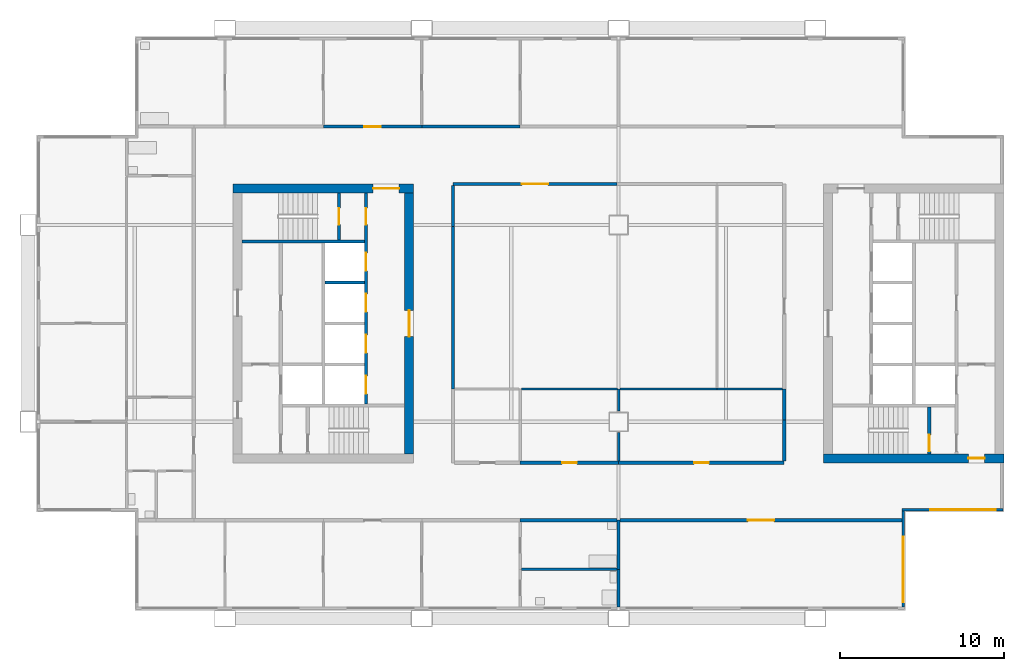
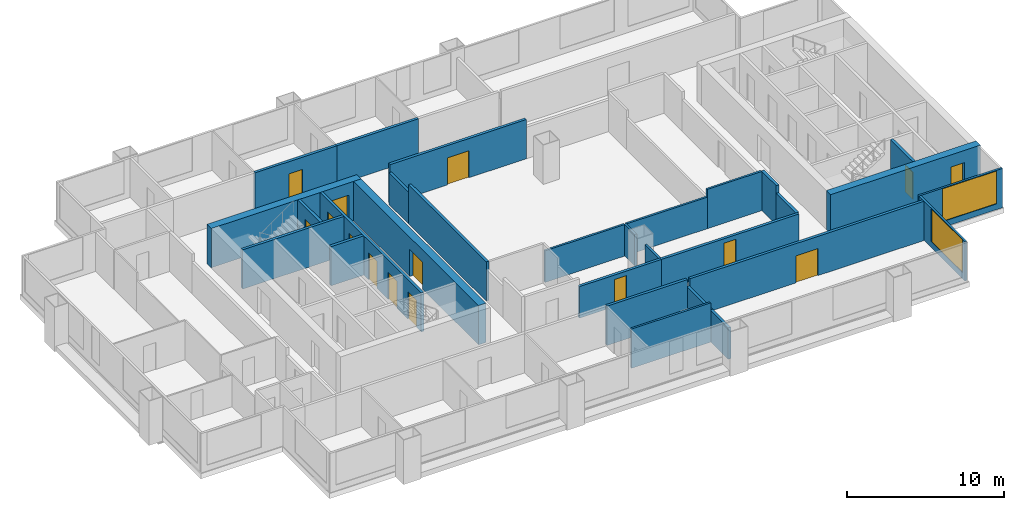
# One storey, part 4 of 8: 29 walls, 15 doors, 2 windows, 17 openings.
"""IFC4 building model written with IfcOpenShell, lengths in metres."""

from ifc_helpers import new_model, si_unit, direction, frame, frame_2d, origin, place, context, subcontext, project, spatial, rectangle, extrude, material, layer, layer_set, type_object, element, fill, save


model = new_model("IFC4")

# Units and contexts
model_context = context("Model", 3, precision=1e-05, world=origin(), true_north=direction((0.0, 1.0)))
body_context = subcontext(model_context, "Body", "Model", "MODEL_VIEW")
ifc_project = project(units=[si_unit("LENGTHUNIT", "METRE"), si_unit("AREAUNIT", "SQUARE_METRE"), si_unit("VOLUMEUNIT", "CUBIC_METRE"), si_unit("PLANEANGLEUNIT", "RADIAN"), si_unit("MASSUNIT", "GRAM", prefix="KILO")], contexts=[model_context])

# Site, building, storey
site_placement = place(None, origin())
site = spatial("IfcSite", under=ifc_project, at=site_placement, CompositionType="ELEMENT")
building_placement = place(site_placement, origin())
building = spatial("IfcBuilding", under=site, at=building_placement, Name="Kitamizu Gate Tower and Museum", CompositionType="ELEMENT")
storey_placement = place(building_placement, frame((0.0, 0.0, 165.14990234375)))
storey = spatial("IfcBuildingStorey", under=building, at=storey_placement, Name="L43", CompositionType="ELEMENT", Elevation=165.14990234375)

# Wall, opening, door
ifc_material_1 = material(Name="Concrete Fc42", Category="concrete")
ifc_layer_1 = layer(ifc_material_1, 0.550048828125)
ifc_layer_set_1 = layer_set([ifc_layer_1], Name="Concrete Fc42")
wall_type_1 = type_object("IfcWallType", Name="Core wall 550", PredefinedType="SHEAR", material=ifc_layer_set_1)
wall_1_placement = place(storey_placement, frame((12.5, 38.22509765625, 0.0), z_axis=(0.0, 0.0, 1.0), x_axis=(1.0, 0.0, 0.0)))
wall_1 = element("IfcWall", 1, at=wall_1_placement, inside=storey, type_object=wall_type_1, Name="Core wall WN", PredefinedType="SHEAR", context=body_context, shape_type="SweptSolid", body=[
    extrude(rectangle(XDim=11.0, YDim=0.550048828125, at=frame_2d((5.5, 0.0))), origin(), (0.0, 0.0, 1.0), 3.050048828125),
])
opening_1_placement = place(wall_1_placement, frame((8.52490234375, 0.0, 0.0)))
opening_1 = element("IfcOpeningElement", 2, at=opening_1_placement, cuts=wall_1, Name="Opening L43-034", PredefinedType="OPENING", context=body_context, shape_type="SweptSolid", body=[
    extrude(rectangle(XDim=1.60009765625, YDim=2.10009765625, at=frame_2d((0.800048828125, 1.050048828125))), frame((0.0, 0.28515625, 0.0), z_axis=(0.0, -1.0, 0.0), x_axis=(1.0, 0.0, 0.0)), (0.0, 0.0, 1.0), 0.570068359375),
])
ifc_material_2 = material(Name="Timber door set", Category="wood")
door_type_1 = type_object("IfcDoorType", Name="Entrance door 1600", OperationType="DOUBLE_DOOR_SINGLE_SWING", PredefinedType="DOOR", material=ifc_material_2)
door_1_placement = place(opening_1_placement, origin())
door_1 = element("IfcDoor", 3, at=door_1_placement, inside=storey, type_object=door_type_1, Name="Lobby door L43-034", OperationType="DOUBLE_DOOR_SINGLE_SWING", OverallHeight=2.10009765625, OverallWidth=1.60009765625, PredefinedType="DOOR", context=body_context, shape_type="SweptSolid", body=[
    extrude(rectangle(XDim=1.60009765625, YDim=2.10009765625, at=frame_2d((0.800048828125, 1.050048828125))), frame((0.0, 0.02490234375, 0.0), z_axis=(0.0, -1.0, 0.0), x_axis=(1.0, 0.0, 0.0)), (0.0, 0.0, 1.0), 0.050048828125),
])
fill(opening_1, door_1)

wall_2_placement = place(storey_placement, frame((23.22509765625, 22.050048828125, 0.0), z_axis=(0.0, 0.0, 1.0), x_axis=(0.0, 1.0, 0.0)))
wall_2 = element("IfcWall", 4, at=wall_2_placement, inside=storey, type_object=wall_type_1, Name="Core wall WARC", PredefinedType="SHEAR", context=body_context, shape_type="SweptSolid", body=[
    extrude(rectangle(XDim=15.89990234375, YDim=0.550048828125, at=frame_2d((7.949951171875, 0.0))), origin(), (0.0, 0.0, 1.0), 3.050048828125),
])
opening_2_placement = place(wall_2_placement, frame((7.14990234375, 0.0, 0.0)))
opening_2 = element("IfcOpeningElement", 5, at=opening_2_placement, cuts=wall_2, Name="Opening L43-035", PredefinedType="OPENING", context=body_context, shape_type="SweptSolid", body=[
    extrude(rectangle(XDim=1.60009765625, YDim=2.10009765625, at=frame_2d((0.800048828125, 1.050048828125))), frame((0.0, 0.28515625, 0.0), z_axis=(0.0, -1.0, 0.0), x_axis=(1.0, 0.0, 0.0)), (0.0, 0.0, 1.0), 0.570068359375),
])
door_2_placement = place(opening_2_placement, origin())
door_2 = element("IfcDoor", 6, at=door_2_placement, inside=storey, type_object=door_type_1, Name="Lobby door L43-035", OperationType="DOUBLE_DOOR_SINGLE_SWING", OverallHeight=2.10009765625, OverallWidth=1.60009765625, PredefinedType="DOOR", context=body_context, shape_type="SweptSolid", body=[
    extrude(rectangle(XDim=1.60009765625, YDim=2.10009765625, at=frame_2d((0.800048828125, 1.050048828125))), frame((0.0, 0.02490234375, 0.0), z_axis=(0.0, -1.0, 0.0), x_axis=(1.0, 0.0, 0.0)), (0.0, 0.0, 1.0), 0.050048828125),
])
fill(opening_2, door_2)

wall_3_placement = place(storey_placement, frame((59.5, 21.77490234375, 0.0), z_axis=(0.0, 0.0, 1.0), x_axis=(-1.0, 0.0, 0.0)))
wall_3 = element("IfcWall", 7, at=wall_3_placement, inside=storey, type_object=wall_type_1, Name="Core wall ES", PredefinedType="SHEAR", context=body_context, shape_type="SweptSolid", body=[
    extrude(rectangle(XDim=11.0, YDim=0.550048828125, at=frame_2d((5.5, 0.0))), origin(), (0.0, 0.0, 1.0), 3.050048828125),
])
opening_3_placement = place(wall_3_placement, frame((1.175048828125, 0.0, 0.0)))
opening_3 = element("IfcOpeningElement", 8, at=opening_3_placement, cuts=wall_3, Name="Opening L43-042", PredefinedType="OPENING", context=body_context, shape_type="SweptSolid", body=[
    extrude(rectangle(XDim=1.0, YDim=2.10009765625, at=frame_2d((0.5, 1.050048828125))), frame((0.0, 0.28515625, 0.0), z_axis=(0.0, -1.0, 0.0), x_axis=(1.0, 0.0, 0.0)), (0.0, 0.0, 1.0), 0.570068359375),
])
ifc_material_3 = material(Name="Hollow metal door set")
door_type_2 = type_object("IfcDoorType", Name="Fire door 1000", OperationType="NOTDEFINED", PredefinedType="DOOR", material=ifc_material_3)
door_3_placement = place(opening_3_placement, frame((1.0, 0.0, 0.0), x_axis=(-1.0, 0.0, 0.0)))
door_3 = element("IfcDoor", 9, at=door_3_placement, inside=storey, type_object=door_type_2, Name="Fire-fighting lobby door L43-042", OperationType="SINGLE_SWING_RIGHT", OverallHeight=2.10009765625, OverallWidth=1.0, PredefinedType="DOOR", context=body_context, shape_type="SweptSolid", body=[
    extrude(rectangle(XDim=1.0, YDim=2.10009765625, at=frame_2d((0.5, 1.050048828125))), frame((0.0, 0.02490234375, 0.0), z_axis=(0.0, -1.0, 0.0), x_axis=(1.0, 0.0, 0.0)), (0.0, 0.0, 1.0), 0.050048828125),
])
fill(opening_3, door_3)

# Walls
ifc_material_4 = material(Name="Gypsum board on galvanised stud")
ifc_layer_2 = layer(ifc_material_4, 0.14990234375)
ifc_layer_set_2 = layer_set([ifc_layer_2], Name="Gypsum board on galvanised stud")
wall_type_2 = type_object("IfcWallType", Name="Partition 150", PredefinedType="PARTITIONING", material=ifc_layer_set_2)
wall_4_placement = place(storey_placement, frame((35.89990234375, 15.0, 0.0), z_axis=(0.0, 0.0, 1.0), x_axis=(-1.0, 0.0, 0.0)))
element("IfcWall", 10, at=wall_4_placement, inside=storey, type_object=wall_type_2, Name="Partition L43-012", PredefinedType="PARTITIONING", context=body_context, shape_type="SweptSolid", body=[
    extrude(rectangle(XDim=5.824951171875, YDim=0.14990234375, at=frame_2d((2.91259765625, 0.0))), origin(), (0.0, 0.0, 1.0), 3.050048828125),
])
wall_5_placement = place(storey_placement, frame((36.0, 21.60009765625, 0.0), z_axis=(0.0, 0.0, 1.0), x_axis=(0.0, 1.0, 0.0)))
element("IfcWall", 11, at=wall_5_placement, inside=storey, type_object=wall_type_2, Name="Partition L43-066", PredefinedType="PARTITIONING", context=body_context, shape_type="SweptSolid", body=[
    extrude(rectangle(XDim=1.75, YDim=0.14990234375, at=frame_2d((0.875, 0.0))), origin(), (0.0, 0.0, 1.0), 2.4501953125),
])
wall_6_placement = place(storey_placement, frame((36.0, 24.64990234375, 0.0), z_axis=(0.0, 0.0, 1.0), x_axis=(0.0, 1.0, 0.0)))
element("IfcWall", 12, at=wall_6_placement, inside=storey, type_object=wall_type_2, Name="Partition L43-067", PredefinedType="PARTITIONING", context=body_context, shape_type="SweptSolid", body=[
    extrude(rectangle(XDim=1.35009765625, YDim=0.14990234375, at=frame_2d((0.675048828125, 0.0))), origin(), (0.0, 0.0, 1.0), 2.4501953125),
])
wall_7_placement = place(storey_placement, frame((35.925048828125, 26.0, 0.0), z_axis=(0.0, 0.0, 1.0), x_axis=(-1.0, 0.0, 0.0)))
element("IfcWall", 13, at=wall_7_placement, inside=storey, type_object=wall_type_2, Name="Partition L43-068", PredefinedType="PARTITIONING", context=body_context, shape_type="SweptSolid", body=[
    extrude(rectangle(XDim=5.85009765625, YDim=0.14990234375, at=frame_2d((2.925048828125, 0.0))), origin(), (0.0, 0.0, 1.0), 2.4501953125),
])
wall_8_placement = place(storey_placement, frame((42.0, 26.0, 0.0), z_axis=(0.0, 0.0, 1.0), x_axis=(-1.0, 0.0, 0.0)))
element("IfcWall", 14, at=wall_8_placement, inside=storey, type_object=wall_type_2, Name="Partition L43-069", PredefinedType="PARTITIONING", context=body_context, shape_type="SweptSolid", body=[
    extrude(rectangle(XDim=5.925048828125, YDim=0.14990234375, at=frame_2d((2.96240234375, 0.0))), origin(), (0.0, 0.0, 1.0), 2.4501953125),
])
wall_9_placement = place(storey_placement, frame((46.0, 26.0, 0.0), z_axis=(0.0, 0.0, 1.0), x_axis=(-1.0, 0.0, 0.0)))
element("IfcWall", 15, at=wall_9_placement, inside=storey, type_object=wall_type_2, Name="Partition L43-070", PredefinedType="PARTITIONING", context=body_context, shape_type="SweptSolid", body=[
    extrude(rectangle(XDim=4.0, YDim=0.14990234375, at=frame_2d((2.0, 0.0))), origin(), (0.0, 0.0, 1.0), 3.050048828125),
])
ifc_material_5 = material(Name="Gypsum board on galvanised stud")
ifc_layer_3 = layer(ifc_material_5, 0.199951171875)
ifc_layer_set_3 = layer_set([ifc_layer_3], Name="Gypsum board on galvanised stud")
wall_type_3 = type_object("IfcWallType", Name="Partition 200", PredefinedType="PARTITIONING", material=ifc_layer_set_3)
wall_10_placement = place(storey_placement, frame((36.0, 12.719970703125, 0.0), z_axis=(0.0, 0.0, 1.0), x_axis=(0.0, 1.0, 0.0)))
element("IfcWall", 16, at=wall_10_placement, inside=storey, type_object=wall_type_3, Name="Partition L43-013", PredefinedType="PARTITIONING", context=body_context, shape_type="SweptSolid", body=[
    extrude(rectangle(XDim=2.280029296875, YDim=0.199951171875, at=frame_2d((1.14013671875, 0.0))), origin(), (0.0, 0.0, 1.0), 2.4501953125),
])
wall_11_placement = place(storey_placement, frame((36.0, 15.0, 0.0), z_axis=(0.0, 0.0, 1.0), x_axis=(0.0, 1.0, 0.0)))
element("IfcWall", 17, at=wall_11_placement, inside=storey, type_object=wall_type_3, Name="Partition L43-014", PredefinedType="PARTITIONING", context=body_context, shape_type="SweptSolid", body=[
    extrude(rectangle(XDim=3.0, YDim=0.199951171875, at=frame_2d((1.5, 0.0))), origin(), (0.0, 0.0, 1.0), 2.4501953125),
])
wall_12_placement = place(storey_placement, frame((35.89990234375, 18.0, 0.0), z_axis=(0.0, 0.0, 1.0), x_axis=(-1.0, 0.0, 0.0)))
element("IfcWall", 18, at=wall_12_placement, inside=storey, type_object=wall_type_3, Name="Partition L43-015", PredefinedType="PARTITIONING", context=body_context, shape_type="SweptSolid", body=[
    extrude(rectangle(XDim=5.89990234375, YDim=0.199951171875, at=frame_2d((2.949951171875, 0.0))), origin(), (0.0, 0.0, 1.0), 3.050048828125),
])

# Wall, opening, door
wall_13_placement = place(storey_placement, frame((18.0, 42.0, 0.0), z_axis=(0.0, 0.0, 1.0), x_axis=(1.0, 0.0, 0.0)))
wall_13 = element("IfcWall", 19, at=wall_13_placement, inside=storey, type_object=wall_type_3, Name="Partition L43-022", PredefinedType="PARTITIONING", context=body_context, shape_type="SweptSolid", body=[
    extrude(rectangle(XDim=6.0, YDim=0.199951171875, at=frame_2d((3.0, 0.0))), origin(), (0.0, 0.0, 1.0), 3.050048828125),
])
opening_4_placement = place(wall_13_placement, frame((2.5, 0.0, 0.0)))
opening_4 = element("IfcOpeningElement", 20, at=opening_4_placement, cuts=wall_13, Name="Opening L43-007", PredefinedType="OPENING", context=body_context, shape_type="SweptSolid", body=[
    extrude(rectangle(XDim=1.0, YDim=2.10009765625, at=frame_2d((0.5, 1.050048828125))), frame((0.0, 0.10986328125, 0.0), z_axis=(0.0, -1.0, 0.0), x_axis=(1.0, 0.0, 0.0)), (0.0, 0.0, 1.0), 0.219970703125),
])
ifc_material_6 = material(Name="Timber door set", Category="wood")
door_type_3 = type_object("IfcDoorType", Name="Flat entrance door 1000", OperationType="NOTDEFINED", PredefinedType="DOOR", material=ifc_material_6)
door_4_placement = place(opening_4_placement, origin())
door_4 = element("IfcDoor", 21, at=door_4_placement, inside=storey, type_object=door_type_3, Name="Flat entrance door L43-007", OperationType="SINGLE_SWING_RIGHT", OverallHeight=2.10009765625, OverallWidth=1.0, PredefinedType="DOOR", context=body_context, shape_type="SweptSolid", body=[
    extrude(rectangle(XDim=1.0, YDim=2.10009765625, at=frame_2d((0.5, 1.050048828125))), frame((0.0, 0.02490234375, 0.0), z_axis=(0.0, -1.0, 0.0), x_axis=(1.0, 0.0, 0.0)), (0.0, 0.0, 1.0), 0.050048828125),
])
fill(opening_4, door_4)

# Wall
wall_14_placement = place(storey_placement, frame((24.0, 42.0, 0.0), z_axis=(0.0, 0.0, 1.0), x_axis=(1.0, 0.0, 0.0)))
element("IfcWall", 22, at=wall_14_placement, inside=storey, type_object=wall_type_3, Name="Partition L43-024", PredefinedType="PARTITIONING", context=body_context, shape_type="SweptSolid", body=[
    extrude(rectangle(XDim=6.0, YDim=0.199951171875, at=frame_2d((3.0, 0.0))), origin(), (0.0, 0.0, 1.0), 3.050048828125),
])

# Wall, opening, door
wall_15_placement = place(storey_placement, frame((53.280029296875, 18.0, 0.0), z_axis=(0.0, 0.0, 1.0), x_axis=(-1.0, 0.0, 0.0)))
wall_15 = element("IfcWall", 23, at=wall_15_placement, inside=storey, type_object=wall_type_3, Name="Partition L43-047", PredefinedType="PARTITIONING", context=body_context, shape_type="SweptSolid", body=[
    extrude(rectangle(XDim=17.179931640625, YDim=0.199951171875, at=frame_2d((8.58984375, 0.0))), origin(), (0.0, 0.0, 1.0), 3.050048828125),
])
opening_5_placement = place(wall_15_placement, frame((7.7900390625, 0.0, 0.0)))
opening_5 = element("IfcOpeningElement", 24, at=opening_5_placement, cuts=wall_15, Name="Opening L43-020", PredefinedType="OPENING", context=body_context, shape_type="SweptSolid", body=[
    extrude(rectangle(XDim=1.60009765625, YDim=2.10009765625, at=frame_2d((0.800048828125, 1.050048828125))), frame((0.0, 0.10986328125, 0.0), z_axis=(0.0, -1.0, 0.0), x_axis=(1.0, 0.0, 0.0)), (0.0, 0.0, 1.0), 0.219970703125),
])
ifc_material_7 = material(Name="Timber door set", Category="wood")
door_type_4 = type_object("IfcDoorType", Name="Double door 1600", OperationType="DOUBLE_DOOR_SINGLE_SWING", PredefinedType="DOOR", material=ifc_material_7)
door_5_placement = place(opening_5_placement, origin())
door_5 = element("IfcDoor", 25, at=door_5_placement, inside=storey, type_object=door_type_4, Name="Double door L43-020", OperationType="DOUBLE_DOOR_SINGLE_SWING", OverallHeight=2.10009765625, OverallWidth=1.60009765625, PredefinedType="DOOR", context=body_context, shape_type="SweptSolid", body=[
    extrude(rectangle(XDim=1.60009765625, YDim=2.10009765625, at=frame_2d((0.800048828125, 1.050048828125))), frame((0.0, 0.02490234375, 0.0), z_axis=(0.0, -1.0, 0.0), x_axis=(1.0, 0.0, 0.0)), (0.0, 0.0, 1.0), 0.050048828125),
])
fill(opening_5, door_5)

wall_16_placement = place(storey_placement, frame((30.0, 21.5, 0.0), z_axis=(0.0, 0.0, 1.0), x_axis=(1.0, 0.0, 0.0)))
wall_16 = element("IfcWall", 26, at=wall_16_placement, inside=storey, type_object=wall_type_3, Name="Partition L43-052", PredefinedType="PARTITIONING", context=body_context, shape_type="SweptSolid", body=[
    extrude(rectangle(XDim=6.0, YDim=0.199951171875, at=frame_2d((3.0, 0.0))), origin(), (0.0, 0.0, 1.0), 2.4501953125),
])
opening_6_placement = place(wall_16_placement, frame((2.550048828125, 0.0, 0.0)))
opening_6 = element("IfcOpeningElement", 27, at=opening_6_placement, cuts=wall_16, Name="Opening L43-023", PredefinedType="OPENING", context=body_context, shape_type="SweptSolid", body=[
    extrude(rectangle(XDim=0.89990234375, YDim=2.10009765625, at=frame_2d((0.449951171875, 1.050048828125))), frame((0.0, 0.10986328125, 0.0), z_axis=(0.0, -1.0, 0.0), x_axis=(1.0, 0.0, 0.0)), (0.0, 0.0, 1.0), 0.219970703125),
])
ifc_material_8 = material(Name="Timber door set", Category="wood")
door_type_5 = type_object("IfcDoorType", Name="Room door 900", OperationType="NOTDEFINED", PredefinedType="DOOR", material=ifc_material_8)
door_6_placement = place(opening_6_placement, origin())
door_6 = element("IfcDoor", 28, at=door_6_placement, inside=storey, type_object=door_type_5, Name="Door L43-023", OperationType="SINGLE_SWING_RIGHT", OverallHeight=2.10009765625, OverallWidth=0.89990234375, PredefinedType="DOOR", context=body_context, shape_type="SweptSolid", body=[
    extrude(rectangle(XDim=0.89990234375, YDim=2.10009765625, at=frame_2d((0.449951171875, 1.050048828125))), frame((0.0, 0.02490234375, 0.0), z_axis=(0.0, -1.0, 0.0), x_axis=(1.0, 0.0, 0.0)), (0.0, 0.0, 1.0), 0.050048828125),
])
fill(opening_6, door_6)

wall_17_placement = place(storey_placement, frame((36.0, 21.5, 0.0), z_axis=(0.0, 0.0, 1.0), x_axis=(1.0, 0.0, 0.0)))
wall_17 = element("IfcWall", 29, at=wall_17_placement, inside=storey, type_object=wall_type_3, Name="Partition L43-053", PredefinedType="PARTITIONING", context=body_context, shape_type="SweptSolid", body=[
    extrude(rectangle(XDim=10.10009765625, YDim=0.199951171875, at=frame_2d((5.050048828125, 0.0))), origin(), (0.0, 0.0, 1.0), 2.4501953125),
])
opening_7_placement = place(wall_17_placement, frame((4.60009765625, 0.0, 0.0)))
opening_7 = element("IfcOpeningElement", 30, at=opening_7_placement, cuts=wall_17, Name="Opening L43-024", PredefinedType="OPENING", context=body_context, shape_type="SweptSolid", body=[
    extrude(rectangle(XDim=0.89990234375, YDim=2.10009765625, at=frame_2d((0.449951171875, 1.050048828125))), frame((0.0, 0.10986328125, 0.0), z_axis=(0.0, -1.0, 0.0), x_axis=(1.0, 0.0, 0.0)), (0.0, 0.0, 1.0), 0.219970703125),
])
door_7_placement = place(opening_7_placement, origin())
door_7 = element("IfcDoor", 31, at=door_7_placement, inside=storey, type_object=door_type_5, Name="Door L43-024", OperationType="SINGLE_SWING_LEFT", OverallHeight=2.10009765625, OverallWidth=0.89990234375, PredefinedType="DOOR", context=body_context, shape_type="SweptSolid", body=[
    extrude(rectangle(XDim=0.89990234375, YDim=2.10009765625, at=frame_2d((0.449951171875, 1.050048828125))), frame((0.0, 0.02490234375, 0.0), z_axis=(0.0, -1.0, 0.0), x_axis=(1.0, 0.0, 0.0)), (0.0, 0.0, 1.0), 0.050048828125),
])
fill(opening_7, door_7)

# Walls
wall_18_placement = place(storey_placement, frame((46.10009765625, 21.60009765625, 0.0), z_axis=(0.0, 0.0, 1.0), x_axis=(0.0, 1.0, 0.0)))
element("IfcWall", 32, at=wall_18_placement, inside=storey, type_object=wall_type_3, Name="Partition L43-054", PredefinedType="PARTITIONING", context=body_context, shape_type="SweptSolid", body=[
    extrude(rectangle(XDim=2.5, YDim=0.199951171875, at=frame_2d((1.25, 0.0))), origin(), (0.0, 0.0, 1.0), 2.4501953125),
])
wall_19_placement = place(storey_placement, frame((46.10009765625, 24.10009765625, 0.0), z_axis=(0.0, 0.0, 1.0), x_axis=(0.0, 1.0, 0.0)))
element("IfcWall", 33, at=wall_19_placement, inside=storey, type_object=wall_type_3, Name="Partition L43-055", PredefinedType="PARTITIONING", context=body_context, shape_type="SweptSolid", body=[
    extrude(rectangle(XDim=1.89990234375, YDim=0.199951171875, at=frame_2d((0.949951171875, 0.0))), origin(), (0.0, 0.0, 1.0), 3.050048828125),
])

# Wall, opening, door
wall_20_placement = place(storey_placement, frame((35.89990234375, 38.5, 0.0), z_axis=(0.0, 0.0, 1.0), x_axis=(-1.0, 0.0, 0.0)))
wall_20 = element("IfcWall", 34, at=wall_20_placement, inside=storey, type_object=wall_type_3, Name="Partition L43-057", PredefinedType="PARTITIONING", context=body_context, shape_type="SweptSolid", body=[
    extrude(rectangle(XDim=10.0, YDim=0.199951171875, at=frame_2d((5.0, 0.0))), origin(), (0.0, 0.0, 1.0), 3.050048828125),
])
opening_8_placement = place(wall_20_placement, frame((4.199951171875, 0.0, 0.0)))
opening_8 = element("IfcOpeningElement", 35, at=opening_8_placement, cuts=wall_20, Name="Opening L43-025", PredefinedType="OPENING", context=body_context, shape_type="SweptSolid", body=[
    extrude(rectangle(XDim=1.60009765625, YDim=2.10009765625, at=frame_2d((0.800048828125, 1.050048828125))), frame((0.0, 0.10986328125, 0.0), z_axis=(0.0, -1.0, 0.0), x_axis=(1.0, 0.0, 0.0)), (0.0, 0.0, 1.0), 0.219970703125),
])
door_8_placement = place(opening_8_placement, origin())
door_8 = element("IfcDoor", 36, at=door_8_placement, inside=storey, type_object=door_type_4, Name="Double door L43-025", OperationType="DOUBLE_DOOR_SINGLE_SWING", OverallHeight=2.10009765625, OverallWidth=1.60009765625, PredefinedType="DOOR", context=body_context, shape_type="SweptSolid", body=[
    extrude(rectangle(XDim=1.60009765625, YDim=2.10009765625, at=frame_2d((0.800048828125, 1.050048828125))), frame((0.0, 0.02490234375, 0.0), z_axis=(0.0, -1.0, 0.0), x_axis=(1.0, 0.0, 0.0)), (0.0, 0.0, 1.0), 0.050048828125),
])
fill(opening_8, door_8)

# Walls
wall_21_placement = place(storey_placement, frame((25.89990234375, 38.39990234375, 0.0), z_axis=(0.0, 0.0, 1.0), x_axis=(0.0, -1.0, 0.0)))
element("IfcWall", 37, at=wall_21_placement, inside=storey, type_object=wall_type_3, Name="Partition L43-058", PredefinedType="PARTITIONING", context=body_context, shape_type="SweptSolid", body=[
    extrude(rectangle(XDim=2.5, YDim=0.199951171875, at=frame_2d((1.25, 0.0))), origin(), (0.0, 0.0, 1.0), 2.4501953125),
])
wall_22_placement = place(storey_placement, frame((25.89990234375, 35.89990234375, 0.0), z_axis=(0.0, 0.0, 1.0), x_axis=(0.0, -1.0, 0.0)))
element("IfcWall", 38, at=wall_22_placement, inside=storey, type_object=wall_type_3, Name="Partition L43-059", PredefinedType="PARTITIONING", context=body_context, shape_type="SweptSolid", body=[
    extrude(rectangle(XDim=9.89990234375, YDim=0.199951171875, at=frame_2d((4.949951171875, 0.0))), origin(), (0.0, 0.0, 1.0), 3.050048828125),
])

# Wall, openings, doors
ifc_material_9 = material(Name="Concrete Fc42", Category="concrete")
ifc_layer_4 = layer(ifc_material_9, 0.199951171875)
ifc_layer_set_4 = layer_set([ifc_layer_4], Name="Concrete Fc42")
wall_type_4 = type_object("IfcWallType", Name="Shaft wall 200", PredefinedType="SOLIDWALL", material=ifc_layer_set_4)
wall_23_placement = place(storey_placement, frame((20.60009765625, 25.10009765625, 0.0), z_axis=(0.0, 0.0, 1.0), x_axis=(0.0, 1.0, 0.0)))
wall_23 = element("IfcWall", 39, at=wall_23_placement, inside=storey, type_object=wall_type_4, Name="Shaft wall WEAST", PredefinedType="SOLIDWALL", context=body_context, shape_type="SweptSolid", body=[
    extrude(rectangle(XDim=12.849853515625, YDim=0.199951171875, at=frame_2d((6.4248046875, 0.0))), origin(), (0.0, 0.0, 1.0), 3.050048828125),
])
opening_9_placement = place(wall_23_placement, frame((0.60009765625, 0.0, 0.0)))
opening_9 = element("IfcOpeningElement", 40, at=opening_9_placement, cuts=wall_23, Name="Opening LD", PredefinedType="OPENING", context=body_context, shape_type="SweptSolid", body=[
    extrude(rectangle(XDim=1.10009765625, YDim=2.10009765625, at=frame_2d((0.550048828125, 1.050048828125))), frame((0.0, 0.10986328125, 0.0), z_axis=(0.0, -1.0, 0.0), x_axis=(1.0, 0.0, 0.0)), (0.0, 0.0, 1.0), 0.219970703125),
])
opening_10_placement = place(wall_23_placement, frame((3.10009765625, 0.0, 0.0)))
opening_10 = element("IfcOpeningElement", 41, at=opening_10_placement, cuts=wall_23, Name="Opening LD", PredefinedType="OPENING", context=body_context, shape_type="SweptSolid", body=[
    extrude(rectangle(XDim=1.10009765625, YDim=2.10009765625, at=frame_2d((0.550048828125, 1.050048828125))), frame((0.0, 0.10986328125, 0.0), z_axis=(0.0, -1.0, 0.0), x_axis=(1.0, 0.0, 0.0)), (0.0, 0.0, 1.0), 0.219970703125),
])
opening_11_placement = place(wall_23_placement, frame((5.60009765625, 0.0, 0.0)))
opening_11 = element("IfcOpeningElement", 42, at=opening_11_placement, cuts=wall_23, Name="Opening LD", PredefinedType="OPENING", context=body_context, shape_type="SweptSolid", body=[
    extrude(rectangle(XDim=1.10009765625, YDim=2.10009765625, at=frame_2d((0.550048828125, 1.050048828125))), frame((0.0, 0.10986328125, 0.0), z_axis=(0.0, -1.0, 0.0), x_axis=(1.0, 0.0, 0.0)), (0.0, 0.0, 1.0), 0.219970703125),
])
opening_12_placement = place(wall_23_placement, frame((8.10009765625, 0.0, 0.0)))
opening_12 = element("IfcOpeningElement", 43, at=opening_12_placement, cuts=wall_23, Name="Opening LD", PredefinedType="OPENING", context=body_context, shape_type="SweptSolid", body=[
    extrude(rectangle(XDim=1.10009765625, YDim=2.10009765625, at=frame_2d((0.550048828125, 1.050048828125))), frame((0.0, 0.10986328125, 0.0), z_axis=(0.0, -1.0, 0.0), x_axis=(1.0, 0.0, 0.0)), (0.0, 0.0, 1.0), 0.219970703125),
])
opening_13_placement = place(wall_23_placement, frame((10.925048828125, 0.0, 0.0)))
opening_13 = element("IfcOpeningElement", 44, at=opening_13_placement, cuts=wall_23, Name="Opening L43-029", PredefinedType="OPENING", context=body_context, shape_type="SweptSolid", body=[
    extrude(rectangle(XDim=1.0, YDim=2.10009765625, at=frame_2d((0.5, 1.050048828125))), frame((0.0, 0.10986328125, 0.0), z_axis=(0.0, -1.0, 0.0), x_axis=(1.0, 0.0, 0.0)), (0.0, 0.0, 1.0), 0.219970703125),
])
door_9_placement = place(opening_13_placement, origin())
door_9 = element("IfcDoor", 45, at=door_9_placement, inside=storey, type_object=door_type_2, Name="Stair lobby door L43-029", OperationType="SINGLE_SWING_LEFT", OverallHeight=2.10009765625, OverallWidth=1.0, PredefinedType="DOOR", context=body_context, shape_type="SweptSolid", body=[
    extrude(rectangle(XDim=1.0, YDim=2.10009765625, at=frame_2d((0.5, 1.050048828125))), frame((0.0, 0.02490234375, 0.0), z_axis=(0.0, -1.0, 0.0), x_axis=(1.0, 0.0, 0.0)), (0.0, 0.0, 1.0), 0.050048828125),
])
fill(opening_13, door_9)
ifc_material_10 = material(Name="Hollow metal door set")
door_type_6 = type_object("IfcDoorType", Name="Landing door 1100", OperationType="SLIDING_TO_LEFT", PredefinedType="DOOR", material=ifc_material_10)
door_10_placement = place(opening_9_placement, origin())
door_10 = element("IfcDoor", 46, at=door_10_placement, inside=storey, type_object=door_type_6, Name="Landing door WSV1", OperationType="SLIDING_TO_LEFT", OverallHeight=2.10009765625, OverallWidth=1.10009765625, PredefinedType="DOOR", context=body_context, shape_type="SweptSolid", body=[
    extrude(rectangle(XDim=1.10009765625, YDim=2.10009765625, at=frame_2d((0.550048828125, 1.050048828125))), frame((0.0, 0.02490234375, 0.0), z_axis=(0.0, -1.0, 0.0), x_axis=(1.0, 0.0, 0.0)), (0.0, 0.0, 1.0), 0.050048828125),
])
fill(opening_9, door_10)
door_11_placement = place(opening_10_placement, origin())
door_11 = element("IfcDoor", 47, at=door_11_placement, inside=storey, type_object=door_type_6, Name="Landing door WH1", OperationType="SLIDING_TO_LEFT", OverallHeight=2.10009765625, OverallWidth=1.10009765625, PredefinedType="DOOR", context=body_context, shape_type="SweptSolid", body=[
    extrude(rectangle(XDim=1.10009765625, YDim=2.10009765625, at=frame_2d((0.550048828125, 1.050048828125))), frame((0.0, 0.02490234375, 0.0), z_axis=(0.0, -1.0, 0.0), x_axis=(1.0, 0.0, 0.0)), (0.0, 0.0, 1.0), 0.050048828125),
])
fill(opening_10, door_11)
door_12_placement = place(opening_11_placement, origin())
door_12 = element("IfcDoor", 48, at=door_12_placement, inside=storey, type_object=door_type_6, Name="Landing door WH2", OperationType="SLIDING_TO_LEFT", OverallHeight=2.10009765625, OverallWidth=1.10009765625, PredefinedType="DOOR", context=body_context, shape_type="SweptSolid", body=[
    extrude(rectangle(XDim=1.10009765625, YDim=2.10009765625, at=frame_2d((0.550048828125, 1.050048828125))), frame((0.0, 0.02490234375, 0.0), z_axis=(0.0, -1.0, 0.0), x_axis=(1.0, 0.0, 0.0)), (0.0, 0.0, 1.0), 0.050048828125),
])
fill(opening_11, door_12)
door_13_placement = place(opening_12_placement, origin())
door_13 = element("IfcDoor", 49, at=door_13_placement, inside=storey, type_object=door_type_6, Name="Landing door WH3", OperationType="SLIDING_TO_LEFT", OverallHeight=2.10009765625, OverallWidth=1.10009765625, PredefinedType="DOOR", context=body_context, shape_type="SweptSolid", body=[
    extrude(rectangle(XDim=1.10009765625, YDim=2.10009765625, at=frame_2d((0.550048828125, 1.050048828125))), frame((0.0, 0.02490234375, 0.0), z_axis=(0.0, -1.0, 0.0), x_axis=(1.0, 0.0, 0.0)), (0.0, 0.0, 1.0), 0.050048828125),
])
fill(opening_12, door_13)

# Wall
wall_24_placement = place(storey_placement, frame((13.050048828125, 35.0, 0.0), z_axis=(0.0, 0.0, 1.0), x_axis=(1.0, 0.0, 0.0)))
element("IfcWall", 50, at=wall_24_placement, inside=storey, type_object=wall_type_4, Name="Shaft wall WNB", PredefinedType="SOLIDWALL", context=body_context, shape_type="SweptSolid", body=[
    extrude(rectangle(XDim=7.449951171875, YDim=0.199951171875, at=frame_2d((3.72509765625, 0.0))), origin(), (0.0, 0.0, 1.0), 3.050048828125),
])

# Wall, opening, door
wall_25_placement = place(storey_placement, frame((18.949951171875, 35.10009765625, 0.0), z_axis=(0.0, 0.0, 1.0), x_axis=(0.0, 1.0, 0.0)))
wall_25 = element("IfcWall", 51, at=wall_25_placement, inside=storey, type_object=wall_type_4, Name="Shaft wall WNZ", PredefinedType="SOLIDWALL", context=body_context, shape_type="SweptSolid", body=[
    extrude(rectangle(XDim=2.849853515625, YDim=0.199951171875, at=frame_2d((1.4248046875, 0.0))), origin(), (0.0, 0.0, 1.0), 3.050048828125),
])
opening_14_placement = place(wall_25_placement, frame((0.925048828125, 0.0, 0.0)))
opening_14 = element("IfcOpeningElement", 52, at=opening_14_placement, cuts=wall_25, Name="Opening L43-030", PredefinedType="OPENING", context=body_context, shape_type="SweptSolid", body=[
    extrude(rectangle(XDim=1.0, YDim=2.10009765625, at=frame_2d((0.5, 1.050048828125))), frame((0.0, 0.10986328125, 0.0), z_axis=(0.0, -1.0, 0.0), x_axis=(1.0, 0.0, 0.0)), (0.0, 0.0, 1.0), 0.219970703125),
])
door_14_placement = place(opening_14_placement, origin())
door_14 = element("IfcDoor", 53, at=door_14_placement, inside=storey, type_object=door_type_2, Name="Stair door L43-030", OperationType="SINGLE_SWING_RIGHT", OverallHeight=2.10009765625, OverallWidth=1.0, PredefinedType="DOOR", context=body_context, shape_type="SweptSolid", body=[
    extrude(rectangle(XDim=1.0, YDim=2.10009765625, at=frame_2d((0.5, 1.050048828125))), frame((0.0, 0.02490234375, 0.0), z_axis=(0.0, -1.0, 0.0), x_axis=(1.0, 0.0, 0.0)), (0.0, 0.0, 1.0), 0.050048828125),
])
fill(opening_14, door_14)

# Wall
wall_26_placement = place(storey_placement, frame((18.10009765625, 32.5, 0.0), z_axis=(0.0, 0.0, 1.0), x_axis=(1.0, 0.0, 0.0)))
element("IfcWall", 54, at=wall_26_placement, inside=storey, type_object=wall_type_4, Name="Shaft wall WDVE2", PredefinedType="SOLIDWALL", context=body_context, shape_type="SweptSolid", body=[
    extrude(rectangle(XDim=2.39990234375, YDim=0.199951171875, at=frame_2d((1.199951171875, 0.0))), origin(), (0.0, 0.0, 1.0), 3.050048828125),
])

# Wall, opening, door
wall_27_placement = place(storey_placement, frame((54.949951171875, 22.050048828125, 0.0), z_axis=(0.0, 0.0, 1.0), x_axis=(0.0, 1.0, 0.0)))
wall_27 = element("IfcWall", 55, at=wall_27_placement, inside=storey, type_object=wall_type_4, Name="Shaft wall ESZ", PredefinedType="SOLIDWALL", context=body_context, shape_type="SweptSolid", body=[
    extrude(rectangle(XDim=2.849853515625, YDim=0.199951171875, at=frame_2d((1.4248046875, 0.0))), origin(), (0.0, 0.0, 1.0), 3.050048828125),
])
opening_15_placement = place(wall_27_placement, frame((0.14990234375, 0.0, 0.0)))
opening_15 = element("IfcOpeningElement", 56, at=opening_15_placement, cuts=wall_27, Name="Opening L43-037", PredefinedType="OPENING", context=body_context, shape_type="SweptSolid", body=[
    extrude(rectangle(XDim=1.0, YDim=2.10009765625, at=frame_2d((0.5, 1.050048828125))), frame((0.0, 0.10986328125, 0.0), z_axis=(0.0, -1.0, 0.0), x_axis=(1.0, 0.0, 0.0)), (0.0, 0.0, 1.0), 0.219970703125),
])
door_15_placement = place(opening_15_placement, origin())
door_15 = element("IfcDoor", 57, at=door_15_placement, inside=storey, type_object=door_type_2, Name="Stair door L43-037", OperationType="SINGLE_SWING_RIGHT", OverallHeight=2.10009765625, OverallWidth=1.0, PredefinedType="DOOR", context=body_context, shape_type="SweptSolid", body=[
    extrude(rectangle(XDim=1.0, YDim=2.10009765625, at=frame_2d((0.5, 1.050048828125))), frame((0.0, 0.02490234375, 0.0), z_axis=(0.0, -1.0, 0.0), x_axis=(1.0, 0.0, 0.0)), (0.0, 0.0, 1.0), 0.050048828125),
])
fill(opening_15, door_15)

# Wall, opening, window
ifc_material_11 = material(Name="Bronze anodised aluminium frame with insulated spandrel and tinted glass", Category="aluminium")
ifc_layer_5 = layer(ifc_material_11, 0.14990234375)
ifc_layer_set_5 = layer_set([ifc_layer_5], Name="Bronze anodised aluminium frame with insulated spandrel and tinted glass")
wall_type_5 = type_object("IfcWallType", Name="WINDOW WALL 150 BRONZE FRAME EI 30", PredefinedType="ELEMENTEDWALL", material=ifc_layer_set_5)
wall_28_placement = place(storey_placement, frame((53.364990234375, 12.7099609375, 0.0), z_axis=(0.0, 0.0, 1.0), x_axis=(0.0, 1.0, 0.0)))
wall_28 = element("IfcWall", 58, at=wall_28_placement, inside=storey, type_object=wall_type_5, Name="Window wall east L43", PredefinedType="ELEMENTEDWALL", context=body_context, shape_type="SweptSolid", body=[
    extrude(rectangle(XDim=5.85009765625, YDim=0.14990234375, at=frame_2d((2.925048828125, 0.0))), origin(), (0.0, 0.0, 1.0), 3.050048828125),
])
opening_16_placement = place(wall_28_placement, frame((0.2900390625, 0.0, 0.449951171875)))
opening_16 = element("IfcOpeningElement", 59, at=opening_16_placement, cuts=wall_28, Name="Opening W16", PredefinedType="OPENING", context=body_context, shape_type="SweptSolid", body=[
    extrude(rectangle(XDim=4.0, YDim=2.550048828125, at=frame_2d((2.0, 1.27490234375))), frame((0.0, 0.0849609375, 0.0), z_axis=(0.0, -1.0, 0.0), x_axis=(1.0, 0.0, 0.0)), (0.0, 0.0, 1.0), 0.169921875),
])
ifc_material_12 = material(Name="Bronze anodised aluminium frame, tinted triple glazing", Category="aluminium")
window_type = type_object("IfcWindowType", Name="WINDOW 4000 x 2550 SILL 450", PartitioningType="SINGLE_PANEL", PredefinedType="WINDOW", material=ifc_material_12)
window_1_placement = place(opening_16_placement, origin())
window_1 = element("IfcWindow", 60, at=window_1_placement, inside=storey, type_object=window_type, Name="Window W16 L43", OverallHeight=2.550048828125, OverallWidth=4.0, PartitioningType="SINGLE_PANEL", PredefinedType="WINDOW", context=body_context, shape_type="SweptSolid", body=[
    extrude(rectangle(XDim=4.0, YDim=2.550048828125, at=frame_2d((2.0, 1.27490234375))), frame((0.0, 0.030029296875, 0.0), z_axis=(0.0, -1.0, 0.0), x_axis=(1.0, 0.0, 0.0)), (0.0, 0.0, 1.0), 0.06005859375),
])
fill(opening_16, window_1)

wall_29_placement = place(storey_placement, frame((53.2900390625, 18.635009765625, 0.0), z_axis=(0.0, 0.0, 1.0), x_axis=(1.0, 0.0, 0.0)))
wall_29 = element("IfcWall", 61, at=wall_29_placement, inside=storey, type_object=wall_type_5, Name="Window wall south L43", PredefinedType="ELEMENTEDWALL", context=body_context, shape_type="SweptSolid", body=[
    extrude(rectangle(XDim=6.14990234375, YDim=0.14990234375, at=frame_2d((3.074951171875, 0.0))), origin(), (0.0, 0.0, 1.0), 3.050048828125),
])
opening_17_placement = place(wall_29_placement, frame((1.7099609375, 0.0, 0.449951171875)))
opening_17 = element("IfcOpeningElement", 62, at=opening_17_placement, cuts=wall_29, Name="Opening W16", PredefinedType="OPENING", context=body_context, shape_type="SweptSolid", body=[
    extrude(rectangle(XDim=4.0, YDim=2.550048828125, at=frame_2d((2.0, 1.27490234375))), frame((0.0, 0.0849609375, 0.0), z_axis=(0.0, -1.0, 0.0), x_axis=(1.0, 0.0, 0.0)), (0.0, 0.0, 1.0), 0.169921875),
])
window_2_placement = place(opening_17_placement, origin())
window_2 = element("IfcWindow", 63, at=window_2_placement, inside=storey, type_object=window_type, Name="Window W16 L43", OverallHeight=2.550048828125, OverallWidth=4.0, PartitioningType="SINGLE_PANEL", PredefinedType="WINDOW", context=body_context, shape_type="SweptSolid", body=[
    extrude(rectangle(XDim=4.0, YDim=2.550048828125, at=frame_2d((2.0, 1.27490234375))), frame((0.0, 0.030029296875, 0.0), z_axis=(0.0, -1.0, 0.0), x_axis=(1.0, 0.0, 0.0)), (0.0, 0.0, 1.0), 0.06005859375),
])
fill(opening_17, window_2)

save(model, "model.ifc")
